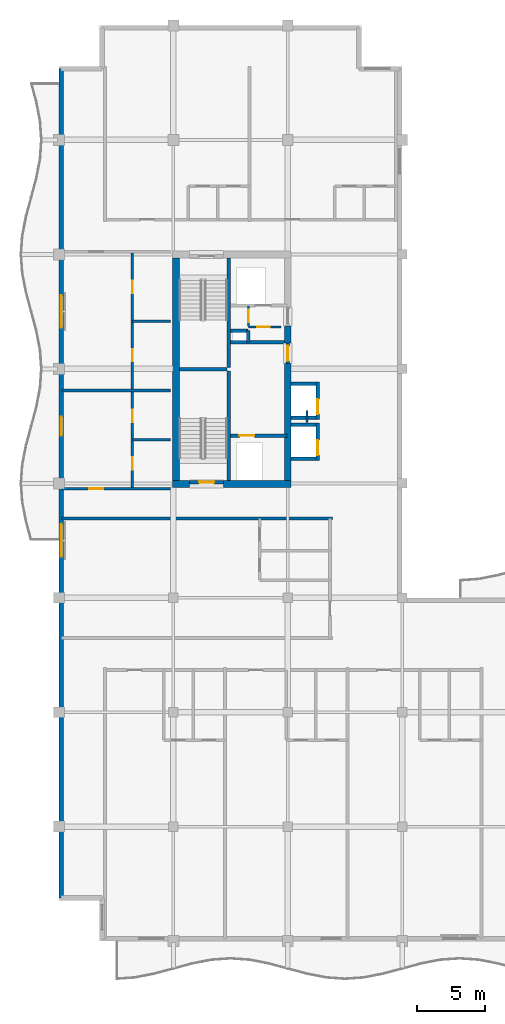
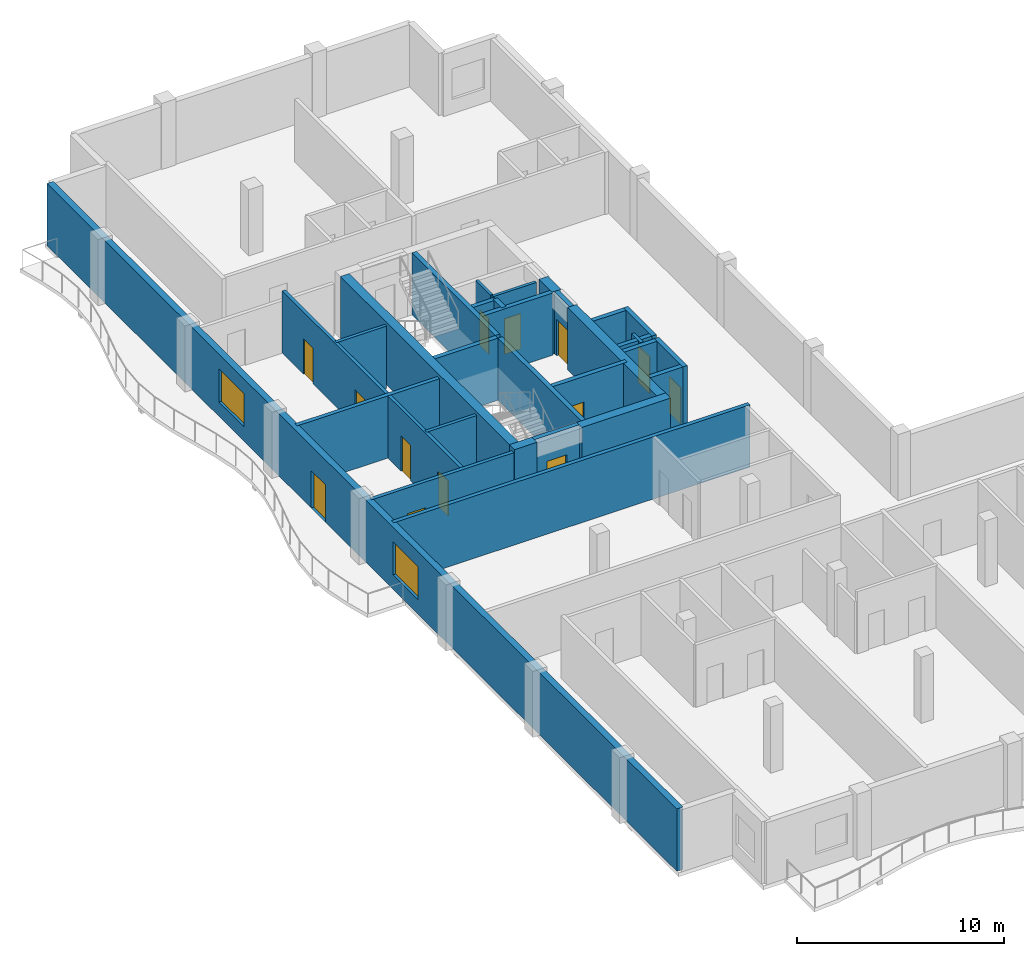
# One storey, part 9 of 14: 31 walls, 13 doors, 2 windows, 15 openings.
"""IFC4 building model written with IfcOpenShell, lengths in metres."""

from ifc_helpers import new_model, si_unit, direction, frame, frame_2d, origin, place, context, subcontext, project, spatial, rectangle, extrude, material, layer, layer_set, type_object, element, fill, save


model = new_model("IFC4")

# Units and contexts
model_context = context("Model", 3, precision=1e-05, world=origin(), true_north=direction((0.0, 1.0)))
body_context = subcontext(model_context, "Body", "Model", "MODEL_VIEW")
ifc_project = project(units=[si_unit("LENGTHUNIT", "METRE"), si_unit("AREAUNIT", "SQUARE_METRE"), si_unit("VOLUMEUNIT", "CUBIC_METRE"), si_unit("PLANEANGLEUNIT", "RADIAN"), si_unit("MASSUNIT", "GRAM", prefix="KILO")], contexts=[model_context])

# Site, building, storey
site_placement = place(None, origin())
site = spatial("IfcSite", under=ifc_project, at=site_placement, CompositionType="ELEMENT")
building_placement = place(site_placement, origin())
building = spatial("IfcBuilding", under=site, at=building_placement, Name="Koriwani Terraces Tower", CompositionType="ELEMENT")
storey_placement = place(building_placement, frame((0.0, 0.0, 308.60009765625)))
storey = spatial("IfcBuildingStorey", under=building, at=storey_placement, Name="L76", CompositionType="ELEMENT", Elevation=308.60009765625)

# Walls
ifc_material_1 = material(Name="Concrete C50/60", Category="concrete")
ifc_layer_1 = layer(ifc_material_1, 0.5, Name="Concrete C50/60")
ifc_layer_set_1 = layer_set([ifc_layer_1], Name="Concrete C50/60")
wall_type_1 = type_object("IfcWallType", Name="WALL_CORE_RC_500", PredefinedType="SHEAR", material=ifc_layer_set_1)
wall_1_placement = place(storey_placement, frame((16.75, 41.949951171875, 0.0), z_axis=(0.0, 0.0, 1.0), x_axis=(1.0, 0.0, 0.0)))
element("IfcWall", 1, at=wall_1_placement, inside=storey, type_object=wall_type_1, Name="L76 West Split Core Shear Wall S1", PredefinedType="SHEAR", context=body_context, shape_type="SweptSolid", body=[
    extrude(rectangle(XDim=1.25, YDim=0.5, at=frame_2d((0.625, 0.0))), origin(), (0.0, 0.0, 1.0), 3.669921875),
])
wall_2_placement = place(storey_placement, frame((20.5, 41.949951171875, 0.0), z_axis=(0.0, 0.0, 1.0), x_axis=(1.0, 0.0, 0.0)))
element("IfcWall", 2, at=wall_2_placement, inside=storey, type_object=wall_type_1, Name="L76 West Split Core Shear Wall S2", PredefinedType="SHEAR", context=body_context, shape_type="SweptSolid", body=[
    extrude(rectangle(XDim=4.949951171875, YDim=0.5, at=frame_2d((2.47509765625, 0.0))), origin(), (0.0, 0.0, 1.0), 3.669921875),
])
wall_3_placement = place(storey_placement, frame((17.0, 42.199951171875, 0.0), z_axis=(0.0, 0.0, 1.0), x_axis=(0.0, 1.0, 0.0)))
element("IfcWall", 3, at=wall_3_placement, inside=storey, type_object=wall_type_1, Name="L76 West Split Core Shear Wall W1", PredefinedType="SHEAR", context=body_context, shape_type="SweptSolid", body=[
    extrude(rectangle(XDim=16.35009765625, YDim=0.5, at=frame_2d((8.175048828125, 0.0))), origin(), (0.0, 0.0, 1.0), 3.669921875),
])
wall_4_placement = place(storey_placement, frame((25.199951171875, 42.199951171875, 0.0), z_axis=(0.0, 0.0, 1.0), x_axis=(0.0, 1.0, 0.0)))
element("IfcWall", 4, at=wall_4_placement, inside=storey, type_object=wall_type_1, Name="L76 West Split Core Shear Wall E1", PredefinedType="SHEAR", context=body_context, shape_type="SweptSolid", body=[
    extrude(rectangle(XDim=8.60009765625, YDim=0.5, at=frame_2d((4.300048828125, 0.0))), origin(), (0.0, 0.0, 1.0), 3.669921875),
])
wall_5_placement = place(storey_placement, frame((25.199951171875, 52.280029296875, 0.0), z_axis=(0.0, 0.0, 1.0), x_axis=(0.0, 1.0, 0.0)))
element("IfcWall", 5, at=wall_5_placement, inside=storey, type_object=wall_type_1, Name="L76 West Split Core Shear Wall E2", PredefinedType="SHEAR", context=body_context, shape_type="SweptSolid", body=[
    extrude(rectangle(XDim=1.27001953125, YDim=0.5, at=frame_2d((0.635009765625, 0.0))), origin(), (0.0, 0.0, 1.0), 3.669921875),
])

# Wall, opening, door
ifc_material_2 = material(Name="Autoclaved Cellular Concrete Blockwork", Category="masonry")
ifc_layer_2 = layer(ifc_material_2, 0.199951171875, Name="Autoclaved Cellular Concrete Blockwork")
ifc_layer_set_2 = layer_set([ifc_layer_2], Name="Autoclaved Cellular Concrete Blockwork")
wall_type_2 = type_object("IfcWallType", Name="WALL_CORRIDOR_200", PredefinedType="PARTITIONING", material=ifc_layer_set_2)
wall_6_placement = place(storey_placement, frame((8.64990234375, 41.60009765625, 0.0), z_axis=(0.0, 0.0, 1.0), x_axis=(1.0, 0.0, 0.0)))
wall_6 = element("IfcWall", 6, at=wall_6_placement, inside=storey, type_object=wall_type_2, Name="L76 Interior Wall WRZ4-WS-L76", PredefinedType="PARTITIONING", context=body_context, shape_type="SweptSolid", body=[
    extrude(rectangle(XDim=7.9501953125, YDim=0.199951171875, at=frame_2d((3.97509765625, 0.0))), origin(), (0.0, 0.0, 1.0), 3.669921875),
])
opening_1_placement = place(wall_6_placement, frame((2.0, 0.0, 0.0)))
opening_1 = element("IfcOpeningElement", 7, at=opening_1_placement, cuts=wall_6, Name="Opening D-05", PredefinedType="OPENING", context=body_context, shape_type="SweptSolid", body=[
    extrude(rectangle(XDim=1.0, YDim=2.14990234375, at=frame_2d((0.5, 1.074951171875))), frame((0.0, 0.10986328125, 0.0), z_axis=(0.0, -1.0, 0.0), x_axis=(1.0, 0.0, 0.0)), (0.0, 0.0, 1.0), 0.219970703125),
])
ifc_material_3 = material(Name="Architectural Oak Fire Door", Category="wood")
door_type_1 = type_object("IfcDoorType", Name="DOOR_SUITE_ENTRY_1000X2150", OperationType="NOTDEFINED", PredefinedType="DOOR", material=ifc_material_3)
door_1_placement = place(opening_1_placement, origin())
door_1 = element("IfcDoor", 8, at=door_1_placement, inside=storey, type_object=door_type_1, Name="Apartment 76RW1 Entrance Door", OperationType="SINGLE_SWING_RIGHT", OverallHeight=2.14990234375, OverallWidth=1.0, PredefinedType="DOOR", context=body_context, shape_type="SweptSolid", body=[
    extrude(rectangle(XDim=1.0, YDim=2.14990234375, at=frame_2d((0.5, 1.074951171875))), frame((0.0, 0.02490234375, 0.0), z_axis=(0.0, -1.0, 0.0), x_axis=(1.0, 0.0, 0.0)), (0.0, 0.0, 1.0), 0.050048828125),
])
fill(opening_1, door_1)

# Walls
ifc_layer_3 = layer(ifc_material_2, 0.219970703125, Name="Autoclaved Cellular Concrete Blockwork")
ifc_layer_set_3 = layer_set([ifc_layer_3], Name="Autoclaved Cellular Concrete Blockwork")
wall_type_3 = type_object("IfcWallType", Name="WALL_DEMISING_220", PredefinedType="PARTITIONING", material=ifc_layer_set_3)
wall_7_placement = place(storey_placement, frame((8.64990234375, 48.800048828125, 0.0), z_axis=(0.0, 0.0, 1.0), x_axis=(1.0, 0.0, 0.0)))
element("IfcWall", 9, at=wall_7_placement, inside=storey, type_object=wall_type_3, Name="L76 Interior Wall WRZ4-WM-L76", PredefinedType="PARTITIONING", context=body_context, shape_type="SweptSolid", body=[
    extrude(rectangle(XDim=7.9501953125, YDim=0.219970703125, at=frame_2d((3.97509765625, 0.0))), origin(), (0.0, 0.0, 1.0), 3.669921875),
])
wall_8_placement = place(storey_placement, frame((8.60009765625, 39.39990234375, 0.0), z_axis=(0.0, 0.0, 1.0), x_axis=(1.0, 0.0, 0.0)))
element("IfcWall", 10, at=wall_8_placement, inside=storey, type_object=wall_type_3, Name="L76 Interior Wall WRDEME-L76-NE", PredefinedType="PARTITIONING", context=body_context, shape_type="SweptSolid", body=[
    extrude(rectangle(XDim=19.8798828125, YDim=0.219970703125, at=frame_2d((9.93994140625, 0.0))), origin(), (0.0, 0.0, 1.0), 3.669921875),
])

# Wall, openings, door, windows
ifc_layer_4 = layer(ifc_material_1, 0.35009765625, Name="Concrete C50/60")
ifc_layer_set_4 = layer_set([ifc_layer_4], Name="Concrete C50/60")
wall_type_4 = type_object("IfcWallType", Name="WALL_EXT_BRUTALIST_350", PredefinedType="STANDARD", material=ifc_layer_set_4)
wall_9_placement = place(storey_placement, frame((8.574951171875, 11.574951171875, 0.0), z_axis=(0.0, 0.0, 1.0), x_axis=(0.0, 1.0, 0.0)))
wall_9 = element("IfcWall", 11, at=wall_9_placement, inside=storey, type_object=wall_type_4, Name="L76 Fair-Faced Brutalist Exterior Wall (W)", PredefinedType="STANDARD", context=body_context, shape_type="SweptSolid", body=[
    extrude(rectangle(XDim=60.85009765625, YDim=0.35009765625, at=frame_2d((30.425048828125, 0.0))), origin(), (0.0, 0.0, 1.0), 3.669921875),
])
opening_2_placement = place(wall_9_placement, frame((33.925048828125, 0.0, 0.0)))
opening_2 = element("IfcOpeningElement", 12, at=opening_2_placement, cuts=wall_9, Name="Opening D-09", PredefinedType="OPENING", context=body_context, shape_type="SweptSolid", body=[
    extrude(rectangle(XDim=1.39990234375, YDim=2.199951171875, at=frame_2d((0.699951171875, 1.10009765625))), frame((0.0, 0.18505859375, 0.0), z_axis=(0.0, -1.0, 0.0), x_axis=(1.0, 0.0, 0.0)), (0.0, 0.0, 1.0), 0.3701171875),
])
opening_3_placement = place(wall_9_placement, frame((25.02490234375, 0.0, 0.85009765625)))
opening_3 = element("IfcOpeningElement", 13, at=opening_3_placement, cuts=wall_9, Name="Opening W-03", PredefinedType="OPENING", context=body_context, shape_type="SweptSolid", body=[
    extrude(rectangle(XDim=2.39990234375, YDim=1.949951171875, at=frame_2d((1.199951171875, 0.97509765625))), frame((0.0, 0.18505859375, 0.0), z_axis=(0.0, -1.0, 0.0), x_axis=(1.0, 0.0, 0.0)), (0.0, 0.0, 1.0), 0.3701171875),
])
opening_4_placement = place(wall_9_placement, frame((41.824951171875, 0.0, 0.85009765625)))
opening_4 = element("IfcOpeningElement", 14, at=opening_4_placement, cuts=wall_9, Name="Opening W-03", PredefinedType="OPENING", context=body_context, shape_type="SweptSolid", body=[
    extrude(rectangle(XDim=2.39990234375, YDim=1.949951171875, at=frame_2d((1.199951171875, 0.97509765625))), frame((0.0, 0.18505859375, 0.0), z_axis=(0.0, -1.0, 0.0), x_axis=(1.0, 0.0, 0.0)), (0.0, 0.0, 1.0), 0.3701171875),
])
ifc_material_4 = material(Name="Anodised Bronze Aluminium", Category="aluminium")
door_type_2 = type_object("IfcDoorType", Name="DOOR_BALCONY_GLAZED_1400X2200", OperationType="NOTDEFINED", PredefinedType="DOOR", material=ifc_material_4)
door_2_placement = place(opening_2_placement, origin())
door_2 = element("IfcDoor", 15, at=door_2_placement, inside=storey, type_object=door_type_2, Name="L76 West Balcony Glazed Door", OperationType="SINGLE_SWING_LEFT", OverallHeight=2.199951171875, OverallWidth=1.39990234375, PredefinedType="DOOR", context=body_context, shape_type="SweptSolid", body=[
    extrude(rectangle(XDim=1.39990234375, YDim=2.199951171875, at=frame_2d((0.699951171875, 1.10009765625))), frame((0.0, 0.02490234375, 0.0), z_axis=(0.0, -1.0, 0.0), x_axis=(1.0, 0.0, 0.0)), (0.0, 0.0, 1.0), 0.050048828125),
])
fill(opening_2, door_2)
ifc_material_5 = material(Name="Tempered Laminated Low-E Glass", Category="glass")
window_type = type_object("IfcWindowType", Name="WIN_RES_LIVING_2400X1950", PartitioningType="DOUBLE_PANEL_VERTICAL", PredefinedType="WINDOW", material=ifc_material_5)
window_1_placement = place(opening_3_placement, origin())
window_1 = element("IfcWindow", 16, at=window_1_placement, inside=storey, type_object=window_type, Name="L76 Exterior Window (W-9)", OverallHeight=1.949951171875, OverallWidth=2.39990234375, PartitioningType="SINGLE_PANEL", PredefinedType="WINDOW", context=body_context, shape_type="SweptSolid", body=[
    extrude(rectangle(XDim=2.39990234375, YDim=1.949951171875, at=frame_2d((1.199951171875, 0.97509765625))), frame((0.0, 0.030029296875, 0.0), z_axis=(0.0, -1.0, 0.0), x_axis=(1.0, 0.0, 0.0)), (0.0, 0.0, 1.0), 0.06005859375),
])
fill(opening_3, window_1)
window_2_placement = place(opening_4_placement, origin())
window_2 = element("IfcWindow", 17, at=window_2_placement, inside=storey, type_object=window_type, Name="L76 Exterior Window (W-15)", OverallHeight=1.949951171875, OverallWidth=2.39990234375, PartitioningType="SINGLE_PANEL", PredefinedType="WINDOW", context=body_context, shape_type="SweptSolid", body=[
    extrude(rectangle(XDim=2.39990234375, YDim=1.949951171875, at=frame_2d((1.199951171875, 0.97509765625))), frame((0.0, 0.030029296875, 0.0), z_axis=(0.0, -1.0, 0.0), x_axis=(1.0, 0.0, 0.0)), (0.0, 0.0, 1.0), 0.06005859375),
])
fill(opening_4, window_2)

# Wall, openings, doors
ifc_material_6 = material(Name="Fire-Rated Acoustic Gypsum Partition", Category="masonry")
ifc_layer_5 = layer(ifc_material_6, 0.179931640625, Name="Fire-Rated Acoustic Gypsum Partition")
ifc_layer_set_5 = layer_set([ifc_layer_5], Name="Fire-Rated Acoustic Gypsum Partition")
wall_type_5 = type_object("IfcWallType", Name="WALL_PLUMBING_180", PredefinedType="PLUMBINGWALL", material=ifc_layer_set_5)
wall_10_placement = place(storey_placement, frame((13.800048828125, 41.699951171875, 0.0), z_axis=(0.0, 0.0, 1.0), x_axis=(0.0, 1.0, 0.0)))
wall_10 = element("IfcWall", 18, at=wall_10_placement, inside=storey, type_object=wall_type_5, Name="L76 Interior Wall WRZ4-RW1-PB-L76", PredefinedType="PLUMBINGWALL", context=body_context, shape_type="SweptSolid", body=[
    extrude(rectangle(XDim=7.0, YDim=0.179931640625, at=frame_2d((3.5, 0.0))), origin(), (0.0, 0.0, 1.0), 3.669921875),
])
opening_5_placement = place(wall_10_placement, frame((1.300048828125, 0.0, 0.0)))
opening_5 = element("IfcOpeningElement", 19, at=opening_5_placement, cuts=wall_10, Name="Opening D-07", PredefinedType="OPENING", context=body_context, shape_type="SweptSolid", body=[
    extrude(rectangle(XDim=0.89990234375, YDim=2.10009765625, at=frame_2d((0.449951171875, 1.050048828125))), frame((0.0, 0.10009765625, 0.0), z_axis=(0.0, -1.0, 0.0), x_axis=(1.0, 0.0, 0.0)), (0.0, 0.0, 1.0), 0.199951171875),
])
opening_6_placement = place(wall_10_placement, frame((4.7900390625, 0.0, 0.0)))
opening_6 = element("IfcOpeningElement", 20, at=opening_6_placement, cuts=wall_10, Name="Opening D-06", PredefinedType="OPENING", context=body_context, shape_type="SweptSolid", body=[
    extrude(rectangle(XDim=0.919921875, YDim=2.10009765625, at=frame_2d((0.4599609375, 1.050048828125))), frame((0.0, 0.10009765625, 0.0), z_axis=(0.0, -1.0, 0.0), x_axis=(1.0, 0.0, 0.0)), (0.0, 0.0, 1.0), 0.199951171875),
])
door_type_3 = type_object("IfcDoorType", Name="DOOR_BATH_INT_900X2100", OperationType="NOTDEFINED", PredefinedType="DOOR", material=ifc_material_3)
door_3_placement = place(opening_5_placement, origin())
door_3 = element("IfcDoor", 21, at=door_3_placement, inside=storey, type_object=door_type_3, Name="Apartment 76RW1 Bathroom Door", OperationType="SINGLE_SWING_RIGHT", OverallHeight=2.10009765625, OverallWidth=0.89990234375, PredefinedType="DOOR", context=body_context, shape_type="SweptSolid", body=[
    extrude(rectangle(XDim=0.89990234375, YDim=2.10009765625, at=frame_2d((0.449951171875, 1.050048828125))), frame((0.0, 0.02490234375, 0.0), z_axis=(0.0, -1.0, 0.0), x_axis=(1.0, 0.0, 0.0)), (0.0, 0.0, 1.0), 0.050048828125),
])
fill(opening_5, door_3)
door_type_4 = type_object("IfcDoorType", Name="DOOR_ROOM_INT_920X2100", OperationType="NOTDEFINED", PredefinedType="DOOR", material=ifc_material_3)
door_4_placement = place(opening_6_placement, origin())
door_4 = element("IfcDoor", 22, at=door_4_placement, inside=storey, type_object=door_type_4, Name="Apartment 76RW1 Kitchen Door", OperationType="SINGLE_SWING_LEFT", OverallHeight=2.10009765625, OverallWidth=0.919921875, PredefinedType="DOOR", context=body_context, shape_type="SweptSolid", body=[
    extrude(rectangle(XDim=0.919921875, YDim=2.10009765625, at=frame_2d((0.4599609375, 1.050048828125))), frame((0.0, 0.02490234375, 0.0), z_axis=(0.0, -1.0, 0.0), x_axis=(1.0, 0.0, 0.0)), (0.0, 0.0, 1.0), 0.050048828125),
])
fill(opening_6, door_4)

# Wall
wall_11_placement = place(storey_placement, frame((13.800048828125, 45.199951171875, 0.0), z_axis=(0.0, 0.0, 1.0), x_axis=(1.0, 0.0, 0.0)))
element("IfcWall", 23, at=wall_11_placement, inside=storey, type_object=wall_type_5, Name="L76 Interior Wall WRZ4-RW1-P2-L76", PredefinedType="PLUMBINGWALL", context=body_context, shape_type="SweptSolid", body=[
    extrude(rectangle(XDim=2.800048828125, YDim=0.179931640625, at=frame_2d((1.39990234375, 0.0))), origin(), (0.0, 0.0, 1.0), 3.669921875),
])

# Wall, openings, doors
wall_12_placement = place(storey_placement, frame((13.800048828125, 48.89990234375, 0.0), z_axis=(0.0, 0.0, 1.0), x_axis=(0.0, 1.0, 0.0)))
wall_12 = element("IfcWall", 24, at=wall_12_placement, inside=storey, type_object=wall_type_5, Name="L76 Interior Wall WRZ4-RW2-PB-L76", PredefinedType="PLUMBINGWALL", context=body_context, shape_type="SweptSolid", body=[
    extrude(rectangle(XDim=10.0, YDim=0.179931640625, at=frame_2d((5.0, 0.0))), origin(), (0.0, 0.0, 1.0), 3.669921875),
])
opening_7_placement = place(wall_12_placement, frame((2.050048828125, 0.0, 0.0)))
opening_7 = element("IfcOpeningElement", 25, at=opening_7_placement, cuts=wall_12, Name="Opening D-07", PredefinedType="OPENING", context=body_context, shape_type="SweptSolid", body=[
    extrude(rectangle(XDim=0.89990234375, YDim=2.10009765625, at=frame_2d((0.449951171875, 1.050048828125))), frame((0.0, 0.10009765625, 0.0), z_axis=(0.0, -1.0, 0.0), x_axis=(1.0, 0.0, 0.0)), (0.0, 0.0, 1.0), 0.199951171875),
])
opening_8_placement = place(wall_12_placement, frame((7.0400390625, 0.0, 0.0)))
opening_8 = element("IfcOpeningElement", 26, at=opening_8_placement, cuts=wall_12, Name="Opening D-06", PredefinedType="OPENING", context=body_context, shape_type="SweptSolid", body=[
    extrude(rectangle(XDim=0.919921875, YDim=2.10009765625, at=frame_2d((0.4599609375, 1.050048828125))), frame((0.0, 0.10009765625, 0.0), z_axis=(0.0, -1.0, 0.0), x_axis=(1.0, 0.0, 0.0)), (0.0, 0.0, 1.0), 0.199951171875),
])
door_5_placement = place(opening_7_placement, origin())
door_5 = element("IfcDoor", 27, at=door_5_placement, inside=storey, type_object=door_type_3, Name="Apartment 76RW2 Bathroom Door", OperationType="SINGLE_SWING_RIGHT", OverallHeight=2.10009765625, OverallWidth=0.89990234375, PredefinedType="DOOR", context=body_context, shape_type="SweptSolid", body=[
    extrude(rectangle(XDim=0.89990234375, YDim=2.10009765625, at=frame_2d((0.449951171875, 1.050048828125))), frame((0.0, 0.02490234375, 0.0), z_axis=(0.0, -1.0, 0.0), x_axis=(1.0, 0.0, 0.0)), (0.0, 0.0, 1.0), 0.050048828125),
])
fill(opening_7, door_5)
door_6_placement = place(opening_8_placement, origin())
door_6 = element("IfcDoor", 28, at=door_6_placement, inside=storey, type_object=door_type_4, Name="Apartment 76RW2 Kitchen Door", OperationType="SINGLE_SWING_LEFT", OverallHeight=2.10009765625, OverallWidth=0.919921875, PredefinedType="DOOR", context=body_context, shape_type="SweptSolid", body=[
    extrude(rectangle(XDim=0.919921875, YDim=2.10009765625, at=frame_2d((0.4599609375, 1.050048828125))), frame((0.0, 0.02490234375, 0.0), z_axis=(0.0, -1.0, 0.0), x_axis=(1.0, 0.0, 0.0)), (0.0, 0.0, 1.0), 0.050048828125),
])
fill(opening_8, door_6)

# Walls
wall_13_placement = place(storey_placement, frame((13.800048828125, 53.89990234375, 0.0), z_axis=(0.0, 0.0, 1.0), x_axis=(1.0, 0.0, 0.0)))
element("IfcWall", 29, at=wall_13_placement, inside=storey, type_object=wall_type_5, Name="L76 Interior Wall WRZ4-RW2-P2-L76", PredefinedType="PLUMBINGWALL", context=body_context, shape_type="SweptSolid", body=[
    extrude(rectangle(XDim=2.800048828125, YDim=0.179931640625, at=frame_2d((1.39990234375, 0.0))), origin(), (0.0, 0.0, 1.0), 3.669921875),
])
ifc_material_7 = material(Name="Concrete C40/50", Category="concrete")
ifc_layer_6 = layer(ifc_material_7, 0.25, Name="Concrete C40/50")
ifc_layer_set_6 = layer_set([ifc_layer_6], Name="Concrete C40/50")
wall_type_6 = type_object("IfcWallType", Name="WALL_SHAFT_RATED_250", PredefinedType="SOLIDWALL", material=ifc_layer_set_6)
for number, where, z_axis, x_axis, name in (
    (30, (20.875, 42.199951171875, 0.0), (0.0, 0.0, 1.0), (0.0, 1.0, 0.0), "L76 West Split Core Web Wall MID1"),
    (31, (20.875, 50.5, 0.0), (0.0, 0.0, 1.0), (0.0, 1.0, 0.0), "L76 West Split Core Web Wall MID2"),
):
    element("IfcWall", number, at=place(storey_placement, frame(where, z_axis=z_axis, x_axis=x_axis)), inside=storey, type_object=wall_type_6, Name=name, PredefinedType="SOLIDWALL", context=body_context, shape_type="SweptSolid", body=[
        extrude(rectangle(XDim=8.050048828125, YDim=0.25, at=frame_2d((4.02490234375, 0.0))), origin(), (0.0, 0.0, 1.0), 3.669921875),
    ])
wall_14_placement = place(storey_placement, frame((17.25, 50.375, 0.0), z_axis=(0.0, 0.0, 1.0), x_axis=(1.0, 0.0, 0.0)))
element("IfcWall", 32, at=wall_14_placement, inside=storey, type_object=wall_type_6, Name="L76 West Split Core Stair Dividing Wall", PredefinedType="SOLIDWALL", context=body_context, shape_type="SweptSolid", body=[
    extrude(rectangle(XDim=3.5, YDim=0.25, at=frame_2d((1.75, 0.0))), origin(), (0.0, 0.0, 1.0), 3.669921875),
])

# Wall, opening, door
wall_15_placement = place(storey_placement, frame((18.0, 42.074951171875, 0.0), z_axis=(0.0, 0.0, 1.0), x_axis=(1.0, 0.0, 0.0)))
wall_15 = element("IfcWall", 33, at=wall_15_placement, inside=storey, type_object=wall_type_6, Name="L76 Interior Wall WIN-CW-L76-STS", PredefinedType="SOLIDWALL", context=body_context, shape_type="SweptSolid", body=[
    extrude(rectangle(XDim=2.5, YDim=0.25, at=frame_2d((1.25, 0.0))), origin(), (0.0, 0.0, 1.0), 3.669921875),
])
opening_9_placement = place(wall_15_placement, frame((0.699951171875, 0.0, 0.0)))
opening_9 = element("IfcOpeningElement", 34, at=opening_9_placement, cuts=wall_15, Name="Opening D-03", PredefinedType="OPENING", context=body_context, shape_type="SweptSolid", body=[
    extrude(rectangle(XDim=1.10009765625, YDim=2.14990234375, at=frame_2d((0.550048828125, 1.074951171875))), frame((0.0, 0.135009765625, 0.0), z_axis=(0.0, -1.0, 0.0), x_axis=(1.0, 0.0, 0.0)), (0.0, 0.0, 1.0), 0.27001953125),
])
ifc_material_8 = material(Name="Steel ASTM A572 Grade 50", Category="steel")
door_type_5 = type_object("IfcDoorType", Name="DOOR_STAIR_FIRE_1100X2150", OperationType="NOTDEFINED", PredefinedType="DOOR", material=ifc_material_8)
door_7_placement = place(opening_9_placement, origin())
door_7 = element("IfcDoor", 35, at=door_7_placement, inside=storey, type_object=door_type_5, Name="L76 Exit Stair ST-W1 Door", OperationType="SINGLE_SWING_RIGHT", OverallHeight=2.14990234375, OverallWidth=1.10009765625, PredefinedType="DOOR", context=body_context, shape_type="SweptSolid", body=[
    extrude(rectangle(XDim=1.10009765625, YDim=2.14990234375, at=frame_2d((0.550048828125, 1.074951171875))), frame((0.0, 0.02490234375, 0.0), z_axis=(0.0, -1.0, 0.0), x_axis=(1.0, 0.0, 0.0)), (0.0, 0.0, 1.0), 0.050048828125),
])
fill(opening_9, door_7)

wall_16_placement = place(storey_placement, frame((21.0, 45.5, 0.0), z_axis=(0.0, 0.0, 1.0), x_axis=(1.0, 0.0, 0.0)))
wall_16 = element("IfcWall", 36, at=wall_16_placement, inside=storey, type_object=wall_type_6, Name="L76 Interior Wall WIN-CW-L76-FE", PredefinedType="SOLIDWALL", context=body_context, shape_type="SweptSolid", body=[
    extrude(rectangle(XDim=4.14990234375, YDim=0.25, at=frame_2d((2.074951171875, 0.0))), origin(), (0.0, 0.0, 1.0), 3.669921875),
])
opening_10_placement = place(wall_16_placement, frame((0.64990234375, 0.0, 0.0)))
opening_10 = element("IfcOpeningElement", 37, at=opening_10_placement, cuts=wall_16, Name="Opening LD-01", PredefinedType="OPENING", context=body_context, shape_type="SweptSolid", body=[
    extrude(rectangle(XDim=1.10009765625, YDim=2.14990234375, at=frame_2d((0.550048828125, 1.074951171875))), frame((0.0, 0.135009765625, 0.0), z_axis=(0.0, -1.0, 0.0), x_axis=(1.0, 0.0, 0.0)), (0.0, 0.0, 1.0), 0.27001953125),
])
door_type_6 = type_object("IfcDoorType", Name="DOOR_LIFT_LANDING_1100X2200", OperationType="NOTDEFINED", PredefinedType="DOOR", material=ifc_material_8)
door_8_placement = place(opening_10_placement, origin())
door_8 = element("IfcDoor", 38, at=door_8_placement, inside=storey, type_object=door_type_6, Name="L76 Firefighting Lift FE-01 Landing Door", OperationType="SLIDING_TO_LEFT", OverallHeight=2.14990234375, OverallWidth=1.10009765625, PredefinedType="DOOR", context=body_context, shape_type="SweptSolid", body=[
    extrude(rectangle(XDim=1.10009765625, YDim=2.14990234375, at=frame_2d((0.550048828125, 1.074951171875))), frame((0.0, 0.02490234375, 0.0), z_axis=(0.0, -1.0, 0.0), x_axis=(1.0, 0.0, 0.0)), (0.0, 0.0, 1.0), 0.050048828125),
])
fill(opening_10, door_8)

wall_17_placement = place(storey_placement, frame((25.199951171875, 50.800048828125, 0.0), z_axis=(0.0, 0.0, 1.0), x_axis=(0.0, 1.0, 0.0)))
wall_17 = element("IfcWall", 39, at=wall_17_placement, inside=storey, type_object=wall_type_6, Name="L76 Interior Wall WIN-CW-L76-EP", PredefinedType="SOLIDWALL", context=body_context, shape_type="SweptSolid", body=[
    extrude(rectangle(XDim=1.47998046875, YDim=0.25, at=frame_2d((0.739990234375, 0.0))), origin(), (0.0, 0.0, 1.0), 3.669921875),
])
opening_11_placement = place(wall_17_placement, frame((0.179931640625, 0.0, 0.0)))
opening_11 = element("IfcOpeningElement", 40, at=opening_11_placement, cuts=wall_17, Name="Opening D-03", PredefinedType="OPENING", context=body_context, shape_type="SweptSolid", body=[
    extrude(rectangle(XDim=1.10009765625, YDim=2.14990234375, at=frame_2d((0.550048828125, 1.074951171875))), frame((0.0, 0.135009765625, 0.0), z_axis=(0.0, -1.0, 0.0), x_axis=(1.0, 0.0, 0.0)), (0.0, 0.0, 1.0), 0.27001953125),
])
door_9_placement = place(opening_11_placement, origin())
door_9 = element("IfcDoor", 41, at=door_9_placement, inside=storey, type_object=door_type_5, Name="L76 West Firefighting Lobby Door", OperationType="SINGLE_SWING_RIGHT", OverallHeight=2.14990234375, OverallWidth=1.10009765625, PredefinedType="DOOR", context=body_context, shape_type="SweptSolid", body=[
    extrude(rectangle(XDim=1.10009765625, YDim=2.14990234375, at=frame_2d((0.550048828125, 1.074951171875))), frame((0.0, 0.02490234375, 0.0), z_axis=(0.0, -1.0, 0.0), x_axis=(1.0, 0.0, 0.0)), (0.0, 0.0, 1.0), 0.050048828125),
])
fill(opening_11, door_9)

# Walls
wall_18_placement = place(storey_placement, frame((21.0, 52.340087890625, 0.0), z_axis=(0.0, 0.0, 1.0), x_axis=(1.0, 0.0, 0.0)))
element("IfcWall", 42, at=wall_18_placement, inside=storey, type_object=wall_type_6, Name="L76 Interior Wall WIN-CW-L76-FFN", PredefinedType="SOLIDWALL", context=body_context, shape_type="SweptSolid", body=[
    extrude(rectangle(XDim=3.949951171875, YDim=0.25, at=frame_2d((1.97509765625, 0.0))), origin(), (0.0, 0.0, 1.0), 3.669921875),
])
wall_19_placement = place(storey_placement, frame((21.0, 53.199951171875, 0.0), z_axis=(0.0, 0.0, 1.0), x_axis=(1.0, 0.0, 0.0)))
element("IfcWall", 43, at=wall_19_placement, inside=storey, type_object=wall_type_6, Name="L76 Interior Wall WIN-CW-L76-RS1", PredefinedType="SOLIDWALL", context=body_context, shape_type="SweptSolid", body=[
    extrude(rectangle(XDim=1.300048828125, YDim=0.25, at=frame_2d((0.64990234375, 0.0))), origin(), (0.0, 0.0, 1.0), 3.669921875),
])
wall_20_placement = place(storey_placement, frame((22.300048828125, 52.360107421875, 0.0), z_axis=(0.0, 0.0, 1.0), x_axis=(0.0, 1.0, 0.0)))
element("IfcWall", 44, at=wall_20_placement, inside=storey, type_object=wall_type_6, Name="L76 Interior Wall WIN-CW-L76-RS2", PredefinedType="SOLIDWALL", context=body_context, shape_type="SweptSolid", body=[
    extrude(rectangle(XDim=0.83984375, YDim=0.25, at=frame_2d((0.419921875, 0.0))), origin(), (0.0, 0.0, 1.0), 3.669921875),
])

# Wall, opening, door
wall_21_placement = place(storey_placement, frame((27.39990234375, 43.675048828125, 0.0), z_axis=(0.0, 0.0, 1.0), x_axis=(0.0, 1.0, 0.0)))
wall_21 = element("IfcWall", 45, at=wall_21_placement, inside=storey, type_object=wall_type_6, Name="L76 Interior Wall WIN-LF-PE-H1-L76-F", PredefinedType="SOLIDWALL", context=body_context, shape_type="SweptSolid", body=[
    extrude(rectangle(XDim=2.75, YDim=0.25, at=frame_2d((1.375, 0.0))), origin(), (0.0, 0.0, 1.0), 3.669921875),
])
opening_12_placement = place(wall_21_placement, frame((0.39990234375, 0.0, 0.0)))
opening_12 = element("IfcOpeningElement", 46, at=opening_12_placement, cuts=wall_21, Name="Opening LD-01", PredefinedType="OPENING", context=body_context, shape_type="SweptSolid", body=[
    extrude(rectangle(XDim=1.10009765625, YDim=2.14990234375, at=frame_2d((0.550048828125, 1.074951171875))), frame((0.0, 0.135009765625, 0.0), z_axis=(0.0, -1.0, 0.0), x_axis=(1.0, 0.0, 0.0)), (0.0, 0.0, 1.0), 0.27001953125),
])
door_10_placement = place(opening_12_placement, origin())
door_10 = element("IfcDoor", 47, at=door_10_placement, inside=storey, type_object=door_type_6, Name="L76 Passenger Lift PE-H1 Landing Door", OperationType="SLIDING_TO_LEFT", OverallHeight=2.14990234375, OverallWidth=1.10009765625, PredefinedType="DOOR", context=body_context, shape_type="SweptSolid", body=[
    extrude(rectangle(XDim=1.10009765625, YDim=2.14990234375, at=frame_2d((0.550048828125, 1.074951171875))), frame((0.0, 0.02490234375, 0.0), z_axis=(0.0, -1.0, 0.0), x_axis=(1.0, 0.0, 0.0)), (0.0, 0.0, 1.0), 0.050048828125),
])
fill(opening_12, door_10)

# Walls
for number, where, z_axis, x_axis, name in (
    (48, (25.449951171875, 43.800048828125, 0.0), (0.0, 0.0, 1.0), (1.0, 0.0, 0.0), "L76 Interior Wall WIN-LF-PE-H1-L76-S"),
    (49, (25.449951171875, 46.300048828125, 0.0), (0.0, 0.0, 1.0), (1.0, 0.0, 0.0), "L76 Interior Wall WIN-LF-PE-H1-L76-N"),
):
    element("IfcWall", number, at=place(storey_placement, frame(where, z_axis=z_axis, x_axis=x_axis)), inside=storey, type_object=wall_type_6, Name=name, PredefinedType="SOLIDWALL", context=body_context, shape_type="SweptSolid", body=[
        extrude(rectangle(XDim=1.824951171875, YDim=0.25, at=frame_2d((0.91259765625, 0.0))), origin(), (0.0, 0.0, 1.0), 3.669921875),
    ])

# Wall, opening, door
wall_22_placement = place(storey_placement, frame((27.39990234375, 46.675048828125, 0.0), z_axis=(0.0, 0.0, 1.0), x_axis=(0.0, 1.0, 0.0)))
wall_22 = element("IfcWall", 50, at=wall_22_placement, inside=storey, type_object=wall_type_6, Name="L76 Interior Wall WIN-LF-PE-H2-L76-F", PredefinedType="SOLIDWALL", context=body_context, shape_type="SweptSolid", body=[
    extrude(rectangle(XDim=2.75, YDim=0.25, at=frame_2d((1.375, 0.0))), origin(), (0.0, 0.0, 1.0), 3.669921875),
])
opening_13_placement = place(wall_22_placement, frame((0.39990234375, 0.0, 0.0)))
opening_13 = element("IfcOpeningElement", 51, at=opening_13_placement, cuts=wall_22, Name="Opening LD-01", PredefinedType="OPENING", context=body_context, shape_type="SweptSolid", body=[
    extrude(rectangle(XDim=1.10009765625, YDim=2.14990234375, at=frame_2d((0.550048828125, 1.074951171875))), frame((0.0, 0.135009765625, 0.0), z_axis=(0.0, -1.0, 0.0), x_axis=(1.0, 0.0, 0.0)), (0.0, 0.0, 1.0), 0.27001953125),
])
door_11_placement = place(opening_13_placement, origin())
door_11 = element("IfcDoor", 52, at=door_11_placement, inside=storey, type_object=door_type_6, Name="L76 Passenger Lift PE-H2 Landing Door", OperationType="SLIDING_TO_LEFT", OverallHeight=2.14990234375, OverallWidth=1.10009765625, PredefinedType="DOOR", context=body_context, shape_type="SweptSolid", body=[
    extrude(rectangle(XDim=1.10009765625, YDim=2.14990234375, at=frame_2d((0.550048828125, 1.074951171875))), frame((0.0, 0.02490234375, 0.0), z_axis=(0.0, -1.0, 0.0), x_axis=(1.0, 0.0, 0.0)), (0.0, 0.0, 1.0), 0.050048828125),
])
fill(opening_13, door_11)

# Walls
for number, where, z_axis, x_axis, name in (
    (53, (25.449951171875, 46.800048828125, 0.0), (0.0, 0.0, 1.0), (1.0, 0.0, 0.0), "L76 Interior Wall WIN-LF-PE-H2-L76-S"),
    (54, (25.449951171875, 49.300048828125, 0.0), (0.0, 0.0, 1.0), (1.0, 0.0, 0.0), "L76 Interior Wall WIN-LF-PE-H2-L76-N"),
):
    element("IfcWall", number, at=place(storey_placement, frame(where, z_axis=z_axis, x_axis=x_axis)), inside=storey, type_object=wall_type_6, Name=name, PredefinedType="SOLIDWALL", context=body_context, shape_type="SweptSolid", body=[
        extrude(rectangle(XDim=1.824951171875, YDim=0.25, at=frame_2d((0.91259765625, 0.0))), origin(), (0.0, 0.0, 1.0), 3.669921875),
    ])

# Wall, opening, door
ifc_layer_7 = layer(ifc_material_6, 0.159912109375, Name="Fire-Rated Acoustic Gypsum Partition")
ifc_layer_set_7 = layer_set([ifc_layer_7], Name="Fire-Rated Acoustic Gypsum Partition")
wall_type_7 = type_object("IfcWallType", Name="WALL_SUITE_160", PredefinedType="PARTITIONING", material=ifc_layer_set_7)
wall_23_placement = place(storey_placement, frame((22.320068359375, 53.56005859375, 0.0), z_axis=(0.0, 0.0, 1.0), x_axis=(0.0, 1.0, 0.0)))
wall_23 = element("IfcWall", 55, at=wall_23_placement, inside=storey, type_object=wall_type_7, Name="L76 Interior Wall WIN-CW-L76-SV1A", PredefinedType="PARTITIONING", context=body_context, shape_type="SweptSolid", body=[
    extrude(rectangle(XDim=1.43994140625, YDim=0.159912109375, at=frame_2d((0.719970703125, 0.0))), origin(), (0.0, 0.0, 1.0), 3.669921875),
])
opening_14_placement = place(wall_23_placement, frame((0.260009765625, 0.0, 0.0)))
opening_14 = element("IfcOpeningElement", 56, at=opening_14_placement, cuts=wall_23, Name="Opening D-07", PredefinedType="OPENING", context=body_context, shape_type="SweptSolid", body=[
    extrude(rectangle(XDim=0.89990234375, YDim=2.10009765625, at=frame_2d((0.449951171875, 1.050048828125))), frame((0.0, 0.08984375, 0.0), z_axis=(0.0, -1.0, 0.0), x_axis=(1.0, 0.0, 0.0)), (0.0, 0.0, 1.0), 0.179931640625),
])
door_12_placement = place(opening_14_placement, origin())
door_12 = element("IfcDoor", 57, at=door_12_placement, inside=storey, type_object=door_type_3, Name="L76 West Telecom Room Door", OperationType="SINGLE_SWING_RIGHT", OverallHeight=2.10009765625, OverallWidth=0.89990234375, PredefinedType="DOOR", context=body_context, shape_type="SweptSolid", body=[
    extrude(rectangle(XDim=0.89990234375, YDim=2.10009765625, at=frame_2d((0.449951171875, 1.050048828125))), frame((0.0, 0.02490234375, 0.0), z_axis=(0.0, -1.0, 0.0), x_axis=(1.0, 0.0, 0.0)), (0.0, 0.0, 1.0), 0.050048828125),
])
fill(opening_14, door_12)

wall_24_placement = place(storey_placement, frame((22.320068359375, 53.4599609375, 0.0), z_axis=(0.0, 0.0, 1.0), x_axis=(1.0, 0.0, 0.0)))
wall_24 = element("IfcWall", 58, at=wall_24_placement, inside=storey, type_object=wall_type_7, Name="L76 Interior Wall WIN-CW-L76-SV1B", PredefinedType="PARTITIONING", context=body_context, shape_type="SweptSolid", body=[
    extrude(rectangle(XDim=2.39990234375, YDim=0.159912109375, at=frame_2d((1.199951171875, 0.0))), origin(), (0.0, 0.0, 1.0), 3.669921875),
])
opening_15_placement = place(wall_24_placement, frame((0.64990234375, 0.0, 0.0)))
opening_15 = element("IfcOpeningElement", 59, at=opening_15_placement, cuts=wall_24, Name="Opening D-07", PredefinedType="OPENING", context=body_context, shape_type="SweptSolid", body=[
    extrude(rectangle(XDim=0.89990234375, YDim=2.10009765625, at=frame_2d((0.449951171875, 1.050048828125))), frame((0.0, 0.08984375, 0.0), z_axis=(0.0, -1.0, 0.0), x_axis=(1.0, 0.0, 0.0)), (0.0, 0.0, 1.0), 0.179931640625),
])
door_13_placement = place(opening_15_placement, origin())
door_13 = element("IfcDoor", 60, at=door_13_placement, inside=storey, type_object=door_type_3, Name="L76 West Cleaners Closet Door", OperationType="SINGLE_SWING_LEFT", OverallHeight=2.10009765625, OverallWidth=0.89990234375, PredefinedType="DOOR", context=body_context, shape_type="SweptSolid", body=[
    extrude(rectangle(XDim=0.89990234375, YDim=2.10009765625, at=frame_2d((0.449951171875, 1.050048828125))), frame((0.0, 0.02490234375, 0.0), z_axis=(0.0, -1.0, 0.0), x_axis=(1.0, 0.0, 0.0)), (0.0, 0.0, 1.0), 0.050048828125),
])
fill(opening_15, door_13)

# Wall
wall_25_placement = place(storey_placement, frame((26.60009765625, 46.4599609375, 0.0), z_axis=(0.0, 0.0, 1.0), x_axis=(0.0, 1.0, 0.0)))
element("IfcWall", 61, at=wall_25_placement, inside=storey, type_object=wall_type_7, Name="L76 Interior Wall WIN-LF-PEH12-MID-L76", PredefinedType="PARTITIONING", context=body_context, shape_type="SweptSolid", body=[
    extrude(rectangle(XDim=0.880126953125, YDim=0.159912109375, at=frame_2d((0.43994140625, 0.0))), origin(), (0.0, 0.0, 1.0), 3.669921875),
])

save(model, "model.ifc")
